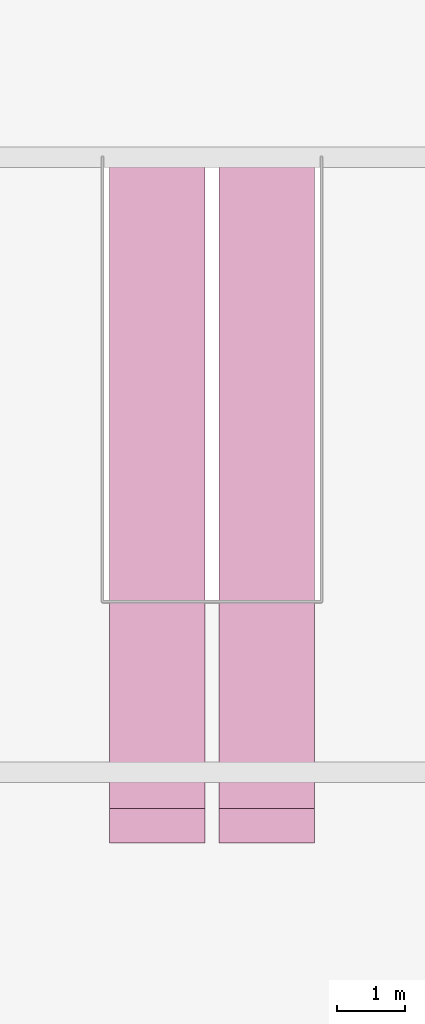
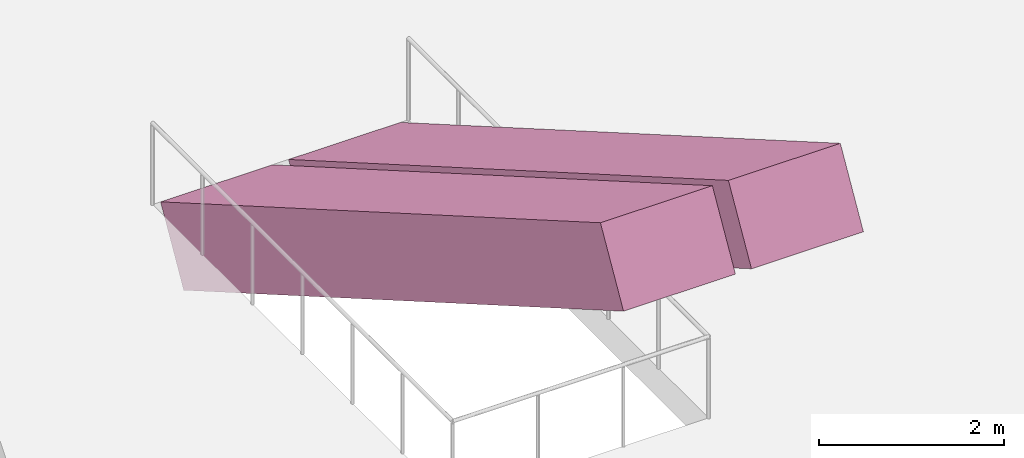
# One storey, part 26 of 26: 2 transport elements.
"""IFC4 building model written with IfcOpenShell, lengths in metres."""

import ifcopenshell
import ifcopenshell.guid

model = None  # the IFC model being written
_history = None  # IfcOwnerHistory: only IFC2X3 demands one
_inside = {}  # id of a spatial element -> (the spatial element, [elements in it])
_under = {}  # id of a project, library or spatial element -> (it, [spatial elements below it])
_declared = {}  # id of a project -> (the project, [libraries it declares])
_typed = {}  # id of a type object -> (the type object, [elements of that type])
_made_of = {}  # id of a material, layer set ... -> (it, [elements and type objects made of it])


def new_model(schema):
    """Start an empty IFC model of exactly this schema.

    Asked for "IFC4X3", IfcOpenShell would pick the latest addendum, in which some entities
    have other attributes; the version numbers below select the first issue.
    IFC2X3 requires an IfcOwnerHistory on every rooted entity: one is made here for all.
    """
    global model, _history
    if schema == "IFC4X3":
        model = ifcopenshell.file(schema_version=(4, 3, 0, 0))
    else:
        model = ifcopenshell.file(schema=schema)
    _inside.clear()
    _under.clear()
    _declared.clear()
    _typed.clear()
    _made_of.clear()
    _history = None
    if model.schema == "IFC2X3":
        org = make("IfcOrganization", Name="unknown")
        user = make(
            "IfcPersonAndOrganization",
            ThePerson=make("IfcPerson", FamilyName="unknown"),
            TheOrganization=org,
        )
        app = make(
            "IfcApplication",
            ApplicationDeveloper=org,
            Version="unknown",
            ApplicationFullName="unknown",
            ApplicationIdentifier="unknown",
        )
        _history = make(
            "IfcOwnerHistory",
            OwningUser=user,
            OwningApplication=app,
            ChangeAction="ADDED",
            CreationDate=0,
        )
    return model


def make(cls, **values):
    """One entity of the class cls with the attributes given. An attribute that is None is left unset."""
    return model.create_entity(
        cls, **{name: value for name, value in values.items() if value is not None}
    )


def rooted(cls, **values):
    """An entity with a GlobalId (a new one), such as an element, a storey or a relation."""
    return make(cls, GlobalId=ifcopenshell.guid.new(), OwnerHistory=_history, **values)


def si_unit(unit_type, name, prefix=None):
    """IfcSIUnit, for example si_unit("LENGTHUNIT", "METRE", prefix="MILLI")."""
    return make("IfcSIUnit", UnitType=unit_type, Prefix=prefix, Name=name)


def assignment(units):
    """IfcUnitAssignment: the units of a project."""
    return None if units is None else make("IfcUnitAssignment", Units=units)


def point(xyz):
    """IfcCartesianPoint."""
    return None if xyz is None else make("IfcCartesianPoint", Coordinates=xyz)


def direction(xyz):
    """IfcDirection."""
    return None if xyz is None else make("IfcDirection", DirectionRatios=xyz)


def frame(location, z_axis=None, x_axis=None):
    """IfcAxis2Placement3D, a coordinate frame: its origin and axes. An axis left out is left unset."""
    return make(
        "IfcAxis2Placement3D",
        Location=point(location),
        Axis=direction(z_axis),
        RefDirection=direction(x_axis),
    )


def origin():
    """The frame at (0, 0, 0) with its axes left unset."""
    return frame((0.0, 0.0, 0.0))


def place(relative_to, where):
    """IfcLocalPlacement: puts the frame where relative to a parent placement (None: the world)."""
    return make(
        "IfcLocalPlacement", PlacementRelTo=relative_to, RelativePlacement=where
    )


def context(
    kind, dimensions, precision=None, world=None, true_north=None, identifier=None
):
    """IfcGeometricRepresentationContext, for example the 3D "Model" context."""
    return make(
        "IfcGeometricRepresentationContext",
        ContextIdentifier=identifier,
        ContextType=kind,
        CoordinateSpaceDimension=dimensions,
        Precision=precision,
        WorldCoordinateSystem=world,
        TrueNorth=true_north,
    )


def subcontext(parent, identifier, kind, view, scale=None):
    """IfcGeometricRepresentationSubContext, for example "Body" below "Model"."""
    return make(
        "IfcGeometricRepresentationSubContext",
        ContextIdentifier=identifier,
        ContextType=kind,
        ParentContext=parent,
        TargetScale=scale,
        TargetView=view,
    )


def project(units=None, contexts=None):
    """IfcProject with its units and contexts."""
    return rooted(
        "IfcProject",
        Name="project",
        RepresentationContexts=contexts,
        UnitsInContext=assignment(units),
    )


def spatial(cls, under=None, at=None, **own):
    """A site, building, storey or space (cls), placed at a placement, below another one or the project."""
    s = rooted(cls, ObjectPlacement=at, **own)
    if under is not None:
        _under.setdefault(under.id(), (under, []))[1].append(s)
    return s


def polyline(points):
    """IfcPolyline through the points."""
    return make("IfcPolyline", Points=[point(p) for p in points])


def outline(outer, holes=None, kind="AREA"):
    """IfcArbitraryClosedProfileDef: a profile drawn as a closed curve; with holes, ...WithVoids."""
    if holes is None:
        return make("IfcArbitraryClosedProfileDef", ProfileType=kind, OuterCurve=outer)
    return make(
        "IfcArbitraryProfileDefWithVoids",
        ProfileType=kind,
        OuterCurve=outer,
        InnerCurves=holes,
    )


def extrude(swept, where, along, depth):
    """IfcExtrudedAreaSolid: the profile swept, set in the frame where, extruded along a direction by depth."""
    return make(
        "IfcExtrudedAreaSolid",
        SweptArea=swept,
        Position=where,
        ExtrudedDirection=direction(along),
        Depth=depth,
    )


def shape(context_of_items, identifier, shape_type, items):
    """IfcShapeRepresentation: the items that make up one representation, for example the "Body"."""
    return make(
        "IfcShapeRepresentation",
        ContextOfItems=context_of_items,
        RepresentationIdentifier=identifier,
        RepresentationType=shape_type,
        Items=items,
    )


def material(Name=None, Category=None):
    """IfcMaterial."""
    return make("IfcMaterial", Name=Name, Category=Category)


def made_of(thing, what):
    """Note that an element or type object is made of a material, layer set ...; save() writes the relation."""
    if what is not None:
        _made_of.setdefault(what.id(), (what, []))[1].append(thing)
    return thing


def type_object(cls, material=None, **own):
    """A type object (cls), such as IfcWallType, which elements share."""
    return made_of(rooted(cls, **own), material)


def element(
    cls,
    number,
    at=None,
    inside=None,
    cuts=None,
    type_object=None,
    material=None,
    context=None,
    identifier="Body",
    shape_type=None,
    held_by="IfcProductDefinitionShape",
    body=None,
    shapes=None,
    **own,
):
    """One element of the class cls, such as IfcWall. Its Tag is "e" and its number.

    at: its placement. inside: the storey or other place that contains it. cuts: it is an
    opening in that element (IfcRelVoidsElement). A single representation is given by context,
    identifier, shape_type and body (its items); several are given by shapes. held_by: the class
    of the entity that holds the representations. save() writes the other relations.
    """
    e = rooted(cls, Tag="e%d" % number, ObjectPlacement=at, **own)
    if body is not None:
        shapes = [shape(context, identifier, shape_type, body)]
    if shapes is not None:
        e.Representation = make(held_by, Representations=shapes)
    if inside is not None:
        _inside.setdefault(inside.id(), (inside, []))[1].append(e)
    if cuts is not None:
        rooted(
            "IfcRelVoidsElement", RelatingBuildingElement=cuts, RelatedOpeningElement=e
        )
    if type_object is not None:
        _typed.setdefault(type_object.id(), (type_object, []))[1].append(e)
    return made_of(e, material)


def aggregate(whole, parts):
    """IfcRelAggregates: a whole, such as a stair, and the parts it consists of."""
    return rooted("IfcRelAggregates", RelatingObject=whole, RelatedObjects=parts)


def save(model, path):
    """Write the relations noted so far, then the file.

    IfcRelAggregates (storeys below a building ...), IfcRelContainedInSpatialStructure (elements
    in a storey), IfcRelDefinesByType, IfcRelAssociatesMaterial and IfcRelDeclares: one each for
    every whole, place, type object, material and project.
    """
    for whole, parts in _under.values():
        aggregate(whole, parts)
    for where, things in _inside.values():
        rooted(
            "IfcRelContainedInSpatialStructure",
            RelatedElements=things,
            RelatingStructure=where,
        )
    for kind, things in _typed.values():
        rooted("IfcRelDefinesByType", RelatedObjects=things, RelatingType=kind)
    for what, things in _made_of.values():
        rooted("IfcRelAssociatesMaterial", RelatedObjects=things, RelatingMaterial=what)
    for by, libraries in _declared.values():
        rooted("IfcRelDeclares", RelatingContext=by, RelatedDefinitions=libraries)
    model.write(path)


model = new_model("IFC4")

# Units and contexts
model_context = context("Model", 3, precision=1e-05, world=origin(), true_north=direction((0.0, 1.0)))
body_context = subcontext(model_context, "Body", "Model", "MODEL_VIEW")
ifc_project = project(units=[si_unit("LENGTHUNIT", "METRE"), si_unit("AREAUNIT", "SQUARE_METRE"), si_unit("VOLUMEUNIT", "CUBIC_METRE"), si_unit("PLANEANGLEUNIT", "RADIAN"), si_unit("MASSUNIT", "GRAM", prefix="KILO")], contexts=[model_context])

# Site, building, storey
site_placement = place(None, origin())
site = spatial("IfcSite", under=ifc_project, at=site_placement, CompositionType="ELEMENT")
building_placement = place(site_placement, origin())
building = spatial("IfcBuilding", under=site, at=building_placement, Name="Tel Ilan Convention Tower", CompositionType="ELEMENT")
storey_placement = place(building_placement, frame((0.0, 0.0, 37.5)))
storey = spatial("IfcBuildingStorey", under=building, at=storey_placement, Name="L05", CompositionType="ELEMENT", Elevation=37.5)

# Transport elements
ifc_material = material(Name="Stainless Steel Grade 316", Category="steel")
transport_element_type = type_object("IfcTransportElementType", Name="Escalator 1000 mm 30 degree", PredefinedType="ESCALATOR", material=ifc_material)
for number, where, z_axis, x_axis, name in (
    (1, (-1.5, -39.009521484375, 0.0), (0.0, 0.499996545922, 0.866027397988), (1.0, 0.0, 0.0), "Escalator L05 to L06 up"),
    (2, (0.10009765625, -39.009521484375, 0.0), (0.0, 0.499996545922, 0.866027397988), (1.0, 0.0, 0.0), "Escalator L05 to L06 down"),
):
    element("IfcTransportElement", number, at=place(storey_placement, frame(where, z_axis=z_axis, x_axis=x_axis)), inside=storey, type_object=transport_element_type, Name=name, PredefinedType="ESCALATOR", context=body_context, shape_type="SweptSolid", body=[
        extrude(outline(polyline([(0.0, 0.0), (1.39990234375, 0.0), (1.39990234375, -11.000075990241008), (0.0, -11.000075990241008), (0.0, 0.0)])), origin(), (0.0, 0.0, -1.0), 1.0),
    ])

save(model, "model.ifc")
